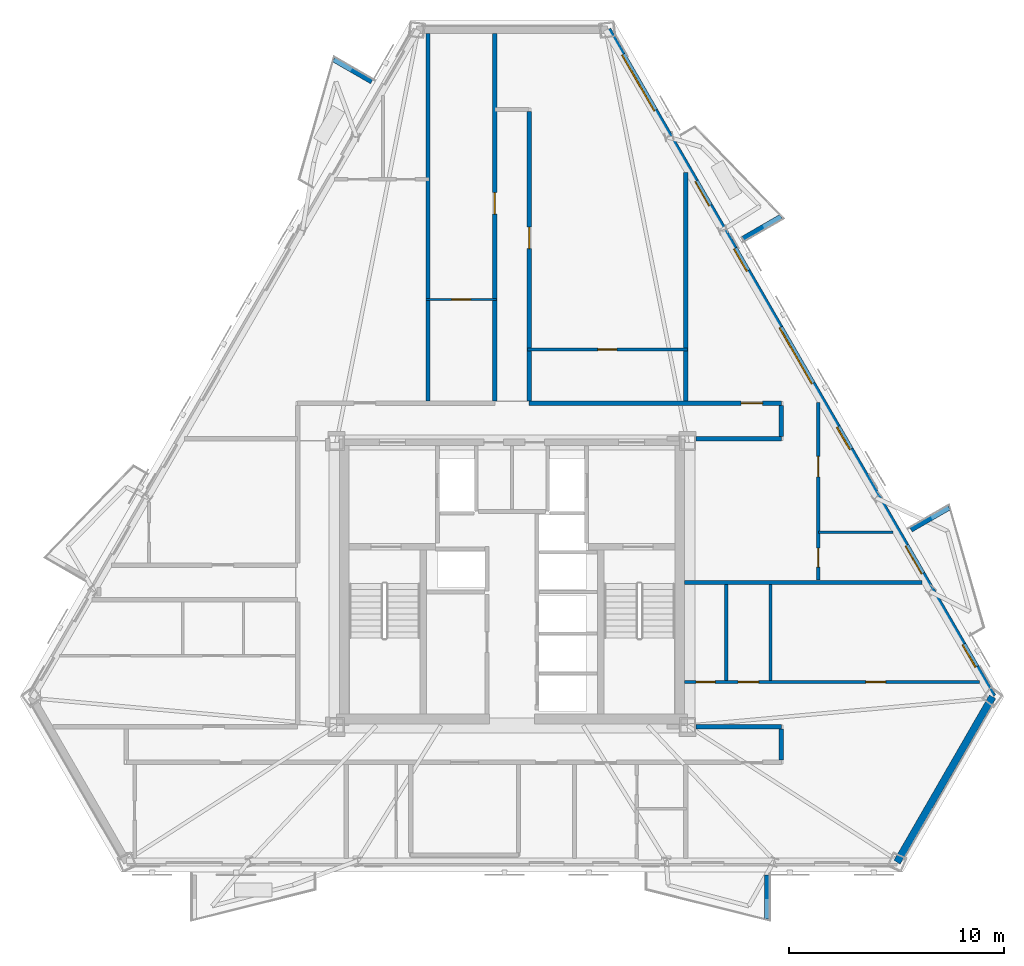
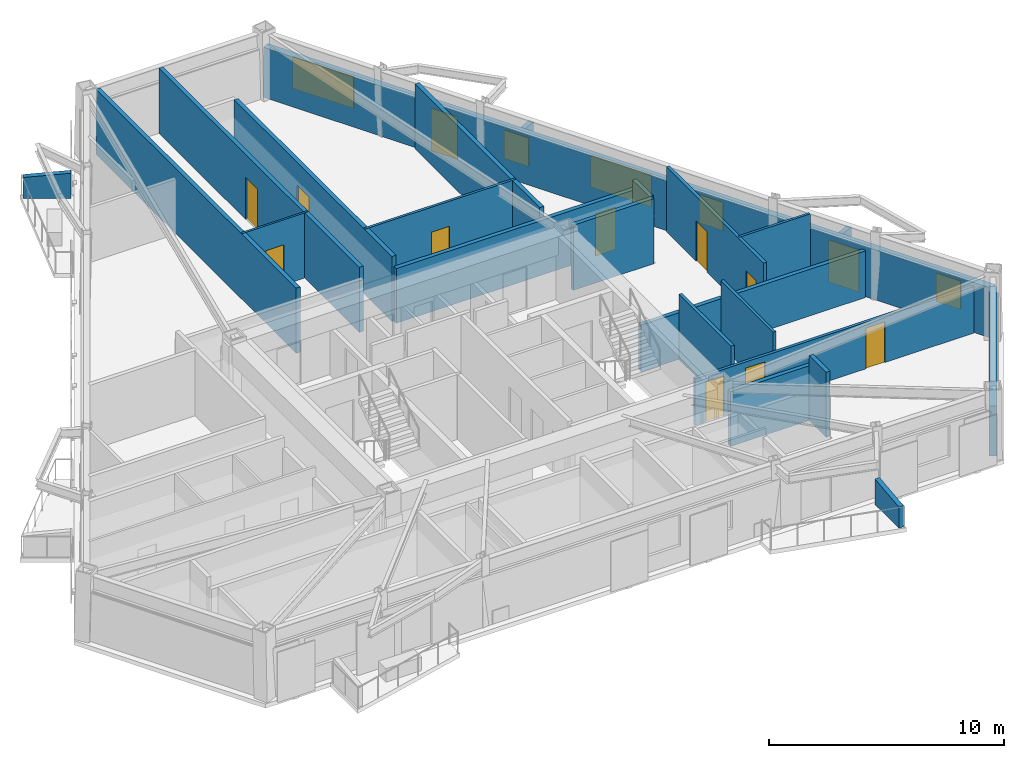
# One storey, part 5 of 9: 23 walls, 12 doors, 5 windows, 17 openings.
"""IFC4 building model written with IfcOpenShell, lengths in metres."""

from ifc_helpers import new_model, si_unit, direction, frame, frame_2d, origin, place, context, subcontext, project, spatial, polyline, rectangle, outline, extrude, material, layer, layer_set, type_object, element, fill, save


model = new_model("IFC4")

# Units and contexts
model_context = context("Model", 3, precision=1e-05, world=origin(), true_north=direction((0.0, 1.0)))
body_context = subcontext(model_context, "Body", "Model", "MODEL_VIEW")
ifc_project = project(units=[si_unit("LENGTHUNIT", "METRE"), si_unit("AREAUNIT", "SQUARE_METRE"), si_unit("VOLUMEUNIT", "CUBIC_METRE"), si_unit("PLANEANGLEUNIT", "RADIAN"), si_unit("MASSUNIT", "GRAM", prefix="KILO")], contexts=[model_context])

# Site, building, storey
site_placement = place(None, origin())
site = spatial("IfcSite", under=ifc_project, at=site_placement, CompositionType="ELEMENT")
building_placement = place(site_placement, origin())
building = spatial("IfcBuilding", under=site, at=building_placement, Name="Oramaril Tower", CompositionType="ELEMENT")
storey_placement = place(building_placement, frame((0.0, 0.0, 163.800048828125)))
storey = spatial("IfcBuildingStorey", under=building, at=storey_placement, Name="L43", CompositionType="ELEMENT", Elevation=163.800048828125)

# Wall
ifc_material_1 = material(Name="Warm Cream Limestone", Category="masonry")
ifc_layer_1 = layer(ifc_material_1, 0.340087890625)
ifc_layer_set_1 = layer_set([ifc_layer_1], Name="WT-EXT34")
wall_type_1 = type_object("IfcWallType", Name="WT-EXT34", PredefinedType="SOLIDWALL", material=ifc_layer_set_1)
wall_1_placement = place(storey_placement, frame((55.368896484375, 4.662109375, 0.0), z_axis=(0.0, 0.0, 1.0), x_axis=(0.500013908369, 0.866017373635, 0.0)))
element("IfcWall", 1, at=wall_1_placement, inside=storey, type_object=wall_type_1, Name="L43 Tower Limestone Facade Wall 3M", PredefinedType="SOLIDWALL", context=body_context, shape_type="SweptSolid", body=[
    extrude(rectangle(XDim=8.870361328125, YDim=0.340087890625, at=frame_2d((4.43505859375, 0.0))), origin(), (0.0, 0.0, 1.0), 2.599853515625),
])

# Wall, openings, doors, windows
wall_2_placement = place(storey_placement, frame((59.80419921875, 12.343994140625, 0.0), z_axis=(0.0, 0.0, 1.0), x_axis=(-0.499998611639, 0.866026205354, 0.0)))
wall_2 = element("IfcWall", 2, at=wall_2_placement, inside=storey, type_object=wall_type_1, Name="L43 Tower Limestone Facade Wall 4M", PredefinedType="SOLIDWALL", context=body_context, shape_type="SweptSolid", body=[
    extrude(rectangle(XDim=35.73779296875, YDim=0.340087890625, at=frame_2d((17.868896484375, 0.0))), origin(), (0.0, 0.0, 1.0), 2.599853515625),
])
opening_1_placement = place(wall_2_placement, frame((6.579345703125, 0.0, 0.0)))
opening_1 = element("IfcOpeningElement", 3, at=opening_1_placement, cuts=wall_2, Name="Opening D-L43-BAL-NE1", PredefinedType="OPENING", context=body_context, shape_type="SweptSolid", body=[
    extrude(rectangle(XDim=1.5, YDim=2.199951171875, at=frame_2d((0.75, 1.10009765625))), frame((0.0, 0.169921875, 0.0), z_axis=(0.0, -1.0, 0.0), x_axis=(1.0, 0.0, 0.0)), (0.0, 0.0, 1.0), 0.340087890625),
])
opening_2_placement = place(wall_2_placement, frame((26.303466796875, 0.0, 0.0)))
opening_2 = element("IfcOpeningElement", 4, at=opening_2_placement, cuts=wall_2, Name="Opening D-L43-BAL-NE2", PredefinedType="OPENING", context=body_context, shape_type="SweptSolid", body=[
    extrude(rectangle(XDim=1.300048828125, YDim=2.199951171875, at=frame_2d((0.64990234375, 1.10009765625))), frame((0.0, 0.169921875, 0.0), z_axis=(0.0, -1.0, 0.0), x_axis=(1.0, 0.0, 0.0)), (0.0, 0.0, 1.0), 0.340087890625),
])
opening_3_placement = place(wall_2_placement, frame((1.579833984375, 0.0, 0.85009765625)))
opening_3 = element("IfcOpeningElement", 5, at=opening_3_placement, cuts=wall_2, Name="Opening WN-09", PredefinedType="OPENING", context=body_context, shape_type="SweptSolid", body=[
    extrude(rectangle(XDim=1.199951171875, YDim=1.47998046875, at=frame_2d((0.60009765625, 0.739990234375))), frame((0.0, 0.169921875, 0.0), z_axis=(0.0, -1.0, 0.0), x_axis=(1.0, 0.0, 0.0)), (0.0, 0.0, 1.0), 0.340087890625),
])
opening_4_placement = place(wall_2_placement, frame((16.769775390625, 0.0, 0.85009765625)))
opening_4 = element("IfcOpeningElement", 6, at=opening_4_placement, cuts=wall_2, Name="Opening WN-10", PredefinedType="OPENING", context=body_context, shape_type="SweptSolid", body=[
    extrude(rectangle(XDim=3.0, YDim=1.639892578125, at=frame_2d((1.5, 0.81982421875))), frame((0.0, 0.169921875, 0.0), z_axis=(0.0, -1.0, 0.0), x_axis=(1.0, 0.0, 0.0)), (0.0, 0.0, 1.0), 0.340087890625),
])
opening_5_placement = place(wall_2_placement, frame((22.800048828125, 0.0, 0.85009765625)))
opening_5 = element("IfcOpeningElement", 7, at=opening_5_placement, cuts=wall_2, Name="Opening WN-09", PredefinedType="OPENING", context=body_context, shape_type="SweptSolid", body=[
    extrude(rectangle(XDim=1.199951171875, YDim=1.47998046875, at=frame_2d((0.60009765625, 0.739990234375))), frame((0.0, 0.169921875, 0.0), z_axis=(0.0, -1.0, 0.0), x_axis=(1.0, 0.0, 0.0)), (0.0, 0.0, 1.0), 0.340087890625),
])
opening_6_placement = place(wall_2_placement, frame((13.2421875, 0.0, 0.85009765625)))
opening_6 = element("IfcOpeningElement", 8, at=opening_6_placement, cuts=wall_2, Name="Opening WN-09", PredefinedType="OPENING", context=body_context, shape_type="SweptSolid", body=[
    extrude(rectangle(XDim=1.199951171875, YDim=1.47998046875, at=frame_2d((0.60009765625, 0.739990234375))), frame((0.0, 0.169921875, 0.0), z_axis=(0.0, -1.0, 0.0), x_axis=(1.0, 0.0, 0.0)), (0.0, 0.0, 1.0), 0.340087890625),
])
opening_7_placement = place(wall_2_placement, frame((31.39453125, 0.0, 0.85009765625)))
opening_7 = element("IfcOpeningElement", 9, at=opening_7_placement, cuts=wall_2, Name="Opening WN-10", PredefinedType="OPENING", context=body_context, shape_type="SweptSolid", body=[
    extrude(rectangle(XDim=3.0, YDim=1.639892578125, at=frame_2d((1.5, 0.81982421875))), frame((0.0, 0.169921875, 0.0), z_axis=(0.0, -1.0, 0.0), x_axis=(1.0, 0.0, 0.0)), (0.0, 0.0, 1.0), 0.340087890625),
])
ifc_material_2 = material(Name="Anodised Aluminium 6063-T6", Category="aluminium")
door_type_1 = type_object("IfcDoorType", Name="DT-BAL", OperationType="NOTDEFINED", PredefinedType="DOOR", material=ifc_material_2)
door_1_placement = place(opening_1_placement, origin())
door_1 = element("IfcDoor", 10, at=door_1_placement, inside=storey, type_object=door_type_1, Name="L43 Balcony Glazed Door L43-BAL-NE1", OperationType="SINGLE_SWING_RIGHT", OverallHeight=2.199951171875, OverallWidth=1.5, PredefinedType="DOOR", context=body_context, shape_type="SweptSolid", body=[
    extrude(rectangle(XDim=1.5, YDim=2.199951171875, at=frame_2d((0.75, 1.10009765625))), frame((0.0, 0.02490234375, 0.0), z_axis=(0.0, -1.0, 0.0), x_axis=(1.0, 0.0, 0.0)), (0.0, 0.0, 1.0), 0.050048828125),
])
fill(opening_1, door_1)
ifc_material_3 = material(Name="Anodised Aluminium 6063-T6", Category="aluminium")
door_type_2 = type_object("IfcDoorType", Name="DT-E2", OperationType="NOTDEFINED", PredefinedType="DOOR", material=ifc_material_3)
door_2_placement = place(opening_2_placement, origin())
door_2 = element("IfcDoor", 11, at=door_2_placement, inside=storey, type_object=door_type_2, Name="L43 Balcony Glazed Door L43-BAL-NE2", OperationType="SINGLE_SWING_LEFT", OverallHeight=2.199951171875, OverallWidth=1.300048828125, PredefinedType="DOOR", context=body_context, shape_type="SweptSolid", body=[
    extrude(rectangle(XDim=1.300048828125, YDim=2.199951171875, at=frame_2d((0.64990234375, 1.10009765625))), frame((0.0, 0.02490234375, 0.0), z_axis=(0.0, -1.0, 0.0), x_axis=(1.0, 0.0, 0.0)), (0.0, 0.0, 1.0), 0.050048828125),
])
fill(opening_2, door_2)
ifc_material_4 = material(Name="Coastal Low-E Insulated Glass", Category="glass")
window_type_1 = type_object("IfcWindowType", Name="WNT-09", PartitioningType="SINGLE_PANEL", PredefinedType="WINDOW", material=ifc_material_4)
window_1_placement = place(opening_3_placement, origin())
window_1 = element("IfcWindow", 12, at=window_1_placement, inside=storey, type_object=window_type_1, Name="L43 Chicago Bay Window WN-09", OverallHeight=1.47998046875, OverallWidth=1.199951171875, PartitioningType="SINGLE_PANEL", PredefinedType="WINDOW", context=body_context, shape_type="SweptSolid", body=[
    extrude(rectangle(XDim=1.199951171875, YDim=1.47998046875, at=frame_2d((0.60009765625, 0.739990234375))), frame((0.0, 0.030029296875, 0.0), z_axis=(0.0, -1.0, 0.0), x_axis=(1.0, 0.0, 0.0)), (0.0, 0.0, 1.0), 0.06005859375),
])
fill(opening_3, window_1)
window_2_placement = place(opening_5_placement, origin())
window_2 = element("IfcWindow", 13, at=window_2_placement, inside=storey, type_object=window_type_1, Name="L43 Chicago Bay Window WN-09", OverallHeight=1.47998046875, OverallWidth=1.199951171875, PartitioningType="SINGLE_PANEL", PredefinedType="WINDOW", context=body_context, shape_type="SweptSolid", body=[
    extrude(rectangle(XDim=1.199951171875, YDim=1.47998046875, at=frame_2d((0.60009765625, 0.739990234375))), frame((0.0, 0.030029296875, 0.0), z_axis=(0.0, -1.0, 0.0), x_axis=(1.0, 0.0, 0.0)), (0.0, 0.0, 1.0), 0.06005859375),
])
fill(opening_5, window_2)
window_3_placement = place(opening_6_placement, origin())
window_3 = element("IfcWindow", 14, at=window_3_placement, inside=storey, type_object=window_type_1, Name="L43 Chicago Bay Window WN-09", OverallHeight=1.47998046875, OverallWidth=1.199951171875, PartitioningType="SINGLE_PANEL", PredefinedType="WINDOW", context=body_context, shape_type="SweptSolid", body=[
    extrude(rectangle(XDim=1.199951171875, YDim=1.47998046875, at=frame_2d((0.60009765625, 0.739990234375))), frame((0.0, 0.030029296875, 0.0), z_axis=(0.0, -1.0, 0.0), x_axis=(1.0, 0.0, 0.0)), (0.0, 0.0, 1.0), 0.06005859375),
])
fill(opening_6, window_3)
ifc_material_5 = material(Name="Coastal Low-E Insulated Glass", Category="glass")
window_type_2 = type_object("IfcWindowType", Name="WNT-10", PartitioningType="SINGLE_PANEL", PredefinedType="WINDOW", material=ifc_material_5)
window_4_placement = place(opening_4_placement, origin())
window_4 = element("IfcWindow", 15, at=window_4_placement, inside=storey, type_object=window_type_2, Name="L43 Chicago Bay Window WN-10", OverallHeight=1.639892578125, OverallWidth=3.0, PartitioningType="SINGLE_PANEL", PredefinedType="WINDOW", context=body_context, shape_type="SweptSolid", body=[
    extrude(rectangle(XDim=3.0, YDim=1.639892578125, at=frame_2d((1.5, 0.81982421875))), frame((0.0, 0.030029296875, 0.0), z_axis=(0.0, -1.0, 0.0), x_axis=(1.0, 0.0, 0.0)), (0.0, 0.0, 1.0), 0.06005859375),
])
fill(opening_4, window_4)
window_5_placement = place(opening_7_placement, origin())
window_5 = element("IfcWindow", 16, at=window_5_placement, inside=storey, type_object=window_type_2, Name="L43 Chicago Bay Window WN-10", OverallHeight=1.639892578125, OverallWidth=3.0, PartitioningType="SINGLE_PANEL", PredefinedType="WINDOW", context=body_context, shape_type="SweptSolid", body=[
    extrude(rectangle(XDim=3.0, YDim=1.639892578125, at=frame_2d((1.5, 0.81982421875))), frame((0.0, 0.030029296875, 0.0), z_axis=(0.0, -1.0, 0.0), x_axis=(1.0, 0.0, 0.0)), (0.0, 0.0, 1.0), 0.06005859375),
])
fill(opening_7, window_5)

# Walls
ifc_material_6 = material(Name="Concrete C40/50", Category="concrete")
ifc_layer_2 = layer(ifc_material_6, 0.22998046875)
ifc_layer_set_2 = layer_set([ifc_layer_2], Name="WT-PRP23")
wall_type_2 = type_object("IfcWallType", Name="WT-PRP23", PredefinedType="PARAPET", material=ifc_layer_set_2)
for number, where, z_axis, x_axis, name in (
    (17, (49.32958984375, 4.06396484375, 0.0), (0.0, 0.0, 1.0), (0.0, -1.0, 0.0), "L43 Trapezoidal Balcony Frame Cheek L43-BAL-S2-R"),
    (18, (56.02001953125, 20.094482421875, 0.0), (0.0, 0.0, 1.0), (0.866012356593, 0.500022597718, 0.0), "L43 Trapezoidal Balcony Frame Cheek L43-BAL-NE1-R"),
    (19, (48.2177734375, 33.608154296875, 0.0), (0.0, 0.0, 1.0), (0.866012356593, 0.500022597718, 0.0), "L43 Trapezoidal Balcony Frame Cheek L43-BAL-NE2-L"),
    (20, (30.98974609375, 40.895751953125, 0.0), (0.0, 0.0, 1.0), (-0.866042246008, 0.499970827278, 0.0), "L43 Trapezoidal Balcony Frame Cheek L43-BAL-NW1-L"),
):
    element("IfcWall", number, at=place(storey_placement, frame(where, z_axis=z_axis, x_axis=x_axis)), inside=storey, type_object=wall_type_2, Name=name, PredefinedType="PARAPET", context=body_context, shape_type="SweptSolid", body=[
        extrude(outline(polyline([(0.0, 0.0), (2.0419921875, 0.0), (2.0419921875, 1.099853515625), (0.0, 1.320068359375), (0.0, 0.0)])), frame((0.0, 0.114990234375, 0.0), z_axis=(0.0, -1.0, 0.0), x_axis=(1.0, 0.0, 0.0)), (0.0, 0.0, 1.0), 0.22998046875),
    ])

# Wall, opening, door
ifc_material_7 = material(Name="Acoustic Gypsum Board Partition")
ifc_layer_3 = layer(ifc_material_7, 0.10009765625)
ifc_layer_set_3 = layer_set([ifc_layer_3], Name="WT-PT10")
wall_type_3 = type_object("IfcWallType", Name="WT-PT10", PredefinedType="PARTITIONING", material=ifc_layer_set_3)
wall_3_placement = place(storey_placement, frame((33.51806640625, 30.780029296875, 0.0), z_axis=(0.0, 0.0, 1.0), x_axis=(1.0, 0.0, 0.0)))
wall_3 = element("IfcWall", 21, at=wall_3_placement, inside=storey, type_object=wall_type_3, Name="L43 Interior Partition PT-10", PredefinedType="PARTITIONING", context=body_context, shape_type="SweptSolid", body=[
    extrude(rectangle(XDim=3.263916015625, YDim=0.10009765625, at=frame_2d((1.6318359375, 0.0))), origin(), (0.0, 0.0, 1.0), 3.3798828125),
])
opening_8_placement = place(wall_3_placement, frame((1.19189453125, 0.0, 0.0)))
opening_8 = element("IfcOpeningElement", 22, at=opening_8_placement, cuts=wall_3, Name="Opening D-L43-17", PredefinedType="OPENING", context=body_context, shape_type="SweptSolid", body=[
    extrude(rectangle(XDim=0.8798828125, YDim=2.080078125, at=frame_2d((0.43994140625, 1.0400390625))), frame((0.0, 0.050048828125, 0.0), z_axis=(0.0, -1.0, 0.0), x_axis=(1.0, 0.0, 0.0)), (0.0, 0.0, 1.0), 0.10009765625),
])
ifc_material_8 = material(Name="FSC Brazilian Freijo Hardwood", Category="wood")
door_type_3 = type_object("IfcDoorType", Name="DT-BATH", OperationType="NOTDEFINED", PredefinedType="DOOR", material=ifc_material_8)
door_3_placement = place(opening_8_placement, origin())
door_3 = element("IfcDoor", 23, at=door_3_placement, inside=storey, type_object=door_type_3, Name="L43 Flat L43-U9 Bathroom Door D-L43-17", OperationType="SINGLE_SWING_LEFT", OverallHeight=2.080078125, OverallWidth=0.8798828125, PredefinedType="DOOR", context=body_context, shape_type="SweptSolid", body=[
    extrude(rectangle(XDim=0.8798828125, YDim=2.080078125, at=frame_2d((0.43994140625, 1.0400390625))), frame((0.0, 0.02490234375, 0.0), z_axis=(0.0, -1.0, 0.0), x_axis=(1.0, 0.0, 0.0)), (0.0, 0.0, 1.0), 0.050048828125),
])
fill(opening_8, door_3)

# Wall
ifc_material_9 = material(Name="Acoustic Gypsum Board Partition")
ifc_layer_4 = layer(ifc_material_9, 0.1201171875)
ifc_layer_set_4 = layer_set([ifc_layer_4], Name="WT-PT12")
wall_type_4 = type_object("IfcWallType", Name="WT-PT12", PredefinedType="PARTITIONING", material=ifc_layer_set_4)
wall_4_placement = place(storey_placement, frame((51.72412109375, 19.97998046875, 0.0), z_axis=(0.0, 0.0, 1.0), x_axis=(1.0, 0.0, 0.0)))
element("IfcWall", 24, at=wall_4_placement, inside=storey, type_object=wall_type_4, Name="L43 Interior Partition PT-12", PredefinedType="PARTITIONING", context=body_context, shape_type="SweptSolid", body=[
    extrude(rectangle(XDim=3.470458984375, YDim=0.1201171875, at=frame_2d((1.7353515625, 0.0))), origin(), (0.0, 0.0, 1.0), 3.3798828125),
])

# Wall, opening, door
wall_5_placement = place(storey_placement, frame((38.218017578125, 28.4599609375, 0.0), z_axis=(0.0, 0.0, 1.0), x_axis=(1.0, 0.0, 0.0)))
wall_5 = element("IfcWall", 25, at=wall_5_placement, inside=storey, type_object=wall_type_4, Name="L43 Interior Partition PT-12", PredefinedType="PARTITIONING", context=body_context, shape_type="SweptSolid", body=[
    extrude(rectangle(XDim=7.424072265625, YDim=0.1201171875, at=frame_2d((3.7119140625, 0.0))), origin(), (0.0, 0.0, 1.0), 3.3798828125),
])
opening_9_placement = place(wall_5_placement, frame((3.27197265625, 0.0, 0.0)))
opening_9 = element("IfcOpeningElement", 26, at=opening_9_placement, cuts=wall_5, Name="Opening D-L43-16", PredefinedType="OPENING", context=body_context, shape_type="SweptSolid", body=[
    extrude(rectangle(XDim=0.8798828125, YDim=2.080078125, at=frame_2d((0.43994140625, 1.0400390625))), frame((0.0, 0.06005859375, 0.0), z_axis=(0.0, -1.0, 0.0), x_axis=(1.0, 0.0, 0.0)), (0.0, 0.0, 1.0), 0.1201171875),
])
door_4_placement = place(opening_9_placement, origin())
door_4 = element("IfcDoor", 27, at=door_4_placement, inside=storey, type_object=door_type_3, Name="L43 Flat L43-U10 Bathroom Door D-L43-16", OperationType="SINGLE_SWING_RIGHT", OverallHeight=2.080078125, OverallWidth=0.8798828125, PredefinedType="DOOR", context=body_context, shape_type="SweptSolid", body=[
    extrude(rectangle(XDim=0.8798828125, YDim=2.080078125, at=frame_2d((0.43994140625, 1.0400390625))), frame((0.0, 0.02490234375, 0.0), z_axis=(0.0, -1.0, 0.0), x_axis=(1.0, 0.0, 0.0)), (0.0, 0.0, 1.0), 0.050048828125),
])
fill(opening_9, door_4)

# Wall, openings, doors
ifc_material_10 = material(Name="Acoustic Gypsum Board Partition")
ifc_layer_5 = layer(ifc_material_10, 0.139892578125)
ifc_layer_set_5 = layer_set([ifc_layer_5], Name="WT-PT14")
wall_type_5 = type_object("IfcWallType", Name="WT-PT14", PredefinedType="PARTITIONING", material=ifc_layer_set_5)
wall_6_placement = place(storey_placement, frame((45.513916015625, 13.030029296875, 0.0), z_axis=(0.0, 0.0, 1.0), x_axis=(1.0, 0.0, 0.0)))
wall_6 = element("IfcWall", 28, at=wall_6_placement, inside=storey, type_object=wall_type_5, Name="L43 Interior Partition PT-14", PredefinedType="PARTITIONING", context=body_context, shape_type="SweptSolid", body=[
    extrude(rectangle(XDim=13.693359375, YDim=0.139892578125, at=frame_2d((6.8466796875, 0.0))), origin(), (0.0, 0.0, 1.0), 2.419921875),
])
opening_10_placement = place(wall_6_placement, frame((0.535888671875, 0.0, 0.0)))
opening_10 = element("IfcOpeningElement", 29, at=opening_10_placement, cuts=wall_6, Name="Opening D-L43-07", PredefinedType="OPENING", context=body_context, shape_type="SweptSolid", body=[
    extrude(rectangle(XDim=0.8798828125, YDim=2.080078125, at=frame_2d((0.43994140625, 1.0400390625))), frame((0.0, 0.06982421875, 0.0), z_axis=(0.0, -1.0, 0.0), x_axis=(1.0, 0.0, 0.0)), (0.0, 0.0, 1.0), 0.139892578125),
])
opening_11_placement = place(wall_6_placement, frame((2.486083984375, 0.0, 0.0)))
opening_11 = element("IfcOpeningElement", 30, at=opening_11_placement, cuts=wall_6, Name="Opening D-L43-08", PredefinedType="OPENING", context=body_context, shape_type="SweptSolid", body=[
    extrude(rectangle(XDim=0.949951171875, YDim=2.10009765625, at=frame_2d((0.47509765625, 1.050048828125))), frame((0.0, 0.06982421875, 0.0), z_axis=(0.0, -1.0, 0.0), x_axis=(1.0, 0.0, 0.0)), (0.0, 0.0, 1.0), 0.139892578125),
])
opening_12_placement = place(wall_6_placement, frame((8.408935546875, 0.0, 0.0)))
opening_12 = element("IfcOpeningElement", 31, at=opening_12_placement, cuts=wall_6, Name="Opening D-L43-09", PredefinedType="OPENING", context=body_context, shape_type="SweptSolid", body=[
    extrude(rectangle(XDim=0.919921875, YDim=2.1201171875, at=frame_2d((0.4599609375, 1.06005859375))), frame((0.0, 0.06982421875, 0.0), z_axis=(0.0, -1.0, 0.0), x_axis=(1.0, 0.0, 0.0)), (0.0, 0.0, 1.0), 0.139892578125),
])
door_5_placement = place(opening_10_placement, origin())
door_5 = element("IfcDoor", 32, at=door_5_placement, inside=storey, type_object=door_type_3, Name="L43 Flat L43-U6 Bathroom Door D-L43-07", OperationType="SINGLE_SWING_LEFT", OverallHeight=2.080078125, OverallWidth=0.8798828125, PredefinedType="DOOR", context=body_context, shape_type="SweptSolid", body=[
    extrude(rectangle(XDim=0.8798828125, YDim=2.080078125, at=frame_2d((0.43994140625, 1.0400390625))), frame((0.0, 0.02490234375, 0.0), z_axis=(0.0, -1.0, 0.0), x_axis=(1.0, 0.0, 0.0)), (0.0, 0.0, 1.0), 0.050048828125),
])
fill(opening_10, door_5)
ifc_material_11 = material(Name="FSC Brazilian Freijo Hardwood", Category="wood")
door_type_4 = type_object("IfcDoorType", Name="DT-BED", OperationType="NOTDEFINED", PredefinedType="DOOR", material=ifc_material_11)
door_6_placement = place(opening_12_placement, origin())
door_6 = element("IfcDoor", 33, at=door_6_placement, inside=storey, type_object=door_type_4, Name="L43 Flat L43-U6 Master Bedroom Door D-L43-09", OperationType="SINGLE_SWING_LEFT", OverallHeight=2.1201171875, OverallWidth=0.919921875, PredefinedType="DOOR", context=body_context, shape_type="SweptSolid", body=[
    extrude(rectangle(XDim=0.919921875, YDim=2.1201171875, at=frame_2d((0.4599609375, 1.06005859375))), frame((0.0, 0.02490234375, 0.0), z_axis=(0.0, -1.0, 0.0), x_axis=(1.0, 0.0, 0.0)), (0.0, 0.0, 1.0), 0.050048828125),
])
fill(opening_12, door_6)
ifc_material_12 = material(Name="FSC Brazilian Freijo Hardwood", Category="wood")
door_type_5 = type_object("IfcDoorType", Name="DT-STDY", OperationType="NOTDEFINED", PredefinedType="DOOR", material=ifc_material_12)
door_7_placement = place(opening_11_placement, origin())
door_7 = element("IfcDoor", 34, at=door_7_placement, inside=storey, type_object=door_type_5, Name="L43 Flat L43-U6 Kitchen Door D-L43-08", OperationType="SINGLE_SWING_RIGHT", OverallHeight=2.10009765625, OverallWidth=0.949951171875, PredefinedType="DOOR", context=body_context, shape_type="SweptSolid", body=[
    extrude(rectangle(XDim=0.949951171875, YDim=2.10009765625, at=frame_2d((0.47509765625, 1.050048828125))), frame((0.0, 0.02490234375, 0.0), z_axis=(0.0, -1.0, 0.0), x_axis=(1.0, 0.0, 0.0)), (0.0, 0.0, 1.0), 0.050048828125),
])
fill(opening_11, door_7)

# Walls
wall_7_placement = place(storey_placement, frame((49.5, 13.10400390625, 0.0), z_axis=(0.0, 0.0, 1.0), x_axis=(0.0, 1.0, 0.0)))
element("IfcWall", 35, at=wall_7_placement, inside=storey, type_object=wall_type_5, Name="L43 Interior Partition PT-14", PredefinedType="PARTITIONING", context=body_context, shape_type="SweptSolid", body=[
    extrude(rectangle(XDim=4.44189453125, YDim=0.139892578125, at=frame_2d((2.220947265625, 0.0))), origin(), (0.0, 0.0, 1.0), 3.3798828125),
])
ifc_material_13 = material(Name="Acoustic Gypsum Board Partition")
ifc_layer_6 = layer(ifc_material_13, 0.159912109375)
ifc_layer_set_6 = layer_set([ifc_layer_6], Name="WT-PT16")
wall_type_6 = type_object("IfcWallType", Name="WT-PT16", PredefinedType="PARTITIONING", material=ifc_layer_set_6)
wall_8_placement = place(storey_placement, frame((47.449951171875, 13.10400390625, 0.0), z_axis=(0.0, 0.0, 1.0), x_axis=(0.0, 1.0, 0.0)))
element("IfcWall", 36, at=wall_8_placement, inside=storey, type_object=wall_type_6, Name="L43 Interior Partition PT-16", PredefinedType="PARTITIONING", context=body_context, shape_type="SweptSolid", body=[
    extrude(rectangle(XDim=4.44189453125, YDim=0.159912109375, at=frame_2d((2.220947265625, 0.0))), origin(), (0.0, 0.0, 1.0), 3.3798828125),
])

# Wall, openings, doors
wall_9_placement = place(storey_placement, frame((51.719970703125, 17.75390625, 0.0), z_axis=(0.0, 0.0, 1.0), x_axis=(0.0, 1.0, 0.0)))
wall_9 = element("IfcWall", 37, at=wall_9_placement, inside=storey, type_object=wall_type_6, Name="L43 Interior Partition PT-16", PredefinedType="PARTITIONING", context=body_context, shape_type="SweptSolid", body=[
    extrude(rectangle(XDim=8.244384765625, YDim=0.159912109375, at=frame_2d((4.1220703125, 0.0))), origin(), (0.0, 0.0, 1.0), 3.3798828125),
])
opening_13_placement = place(wall_9_placement, frame((0.607177734375, 0.0, 0.0)))
opening_13 = element("IfcOpeningElement", 38, at=opening_13_placement, cuts=wall_9, Name="Opening D-L43-27", PredefinedType="OPENING", context=body_context, shape_type="SweptSolid", body=[
    extrude(rectangle(XDim=0.8798828125, YDim=2.080078125, at=frame_2d((0.43994140625, 1.0400390625))), frame((0.0, 0.080078125, 0.0), z_axis=(0.0, -1.0, 0.0), x_axis=(1.0, 0.0, 0.0)), (0.0, 0.0, 1.0), 0.159912109375),
])
opening_14_placement = place(wall_9_placement, frame((4.796630859375, 0.0, 0.0)))
opening_14 = element("IfcOpeningElement", 39, at=opening_14_placement, cuts=wall_9, Name="Opening D-L43-28", PredefinedType="OPENING", context=body_context, shape_type="SweptSolid", body=[
    extrude(rectangle(XDim=0.949951171875, YDim=2.10009765625, at=frame_2d((0.47509765625, 1.050048828125))), frame((0.0, 0.080078125, 0.0), z_axis=(0.0, -1.0, 0.0), x_axis=(1.0, 0.0, 0.0)), (0.0, 0.0, 1.0), 0.159912109375),
])
door_8_placement = place(opening_13_placement, origin())
door_8 = element("IfcDoor", 40, at=door_8_placement, inside=storey, type_object=door_type_3, Name="L43 Flat L43-U7 Bathroom Door D-L43-27", OperationType="SINGLE_SWING_LEFT", OverallHeight=2.080078125, OverallWidth=0.8798828125, PredefinedType="DOOR", context=body_context, shape_type="SweptSolid", body=[
    extrude(rectangle(XDim=0.8798828125, YDim=2.080078125, at=frame_2d((0.43994140625, 1.0400390625))), frame((0.0, 0.02490234375, 0.0), z_axis=(0.0, -1.0, 0.0), x_axis=(1.0, 0.0, 0.0)), (0.0, 0.0, 1.0), 0.050048828125),
])
fill(opening_13, door_8)
door_9_placement = place(opening_14_placement, origin())
door_9 = element("IfcDoor", 41, at=door_9_placement, inside=storey, type_object=door_type_5, Name="L43 Flat L43-U7 Kitchen Door D-L43-28", OperationType="SINGLE_SWING_RIGHT", OverallHeight=2.10009765625, OverallWidth=0.949951171875, PredefinedType="DOOR", context=body_context, shape_type="SweptSolid", body=[
    extrude(rectangle(XDim=0.949951171875, YDim=2.10009765625, at=frame_2d((0.47509765625, 1.050048828125))), frame((0.0, 0.02490234375, 0.0), z_axis=(0.0, -1.0, 0.0), x_axis=(1.0, 0.0, 0.0)), (0.0, 0.0, 1.0), 0.050048828125),
])
fill(opening_14, door_9)

# Walls
ifc_material_14 = material(Name="Autoclaved Cellular Concrete Block", Category="concrete")
ifc_layer_7 = layer(ifc_material_14, 0.199951171875)
ifc_layer_set_7 = layer_set([ifc_layer_7], Name="WT-PT20")
wall_type_7 = type_object("IfcWallType", Name="WT-PT20", PredefinedType="PARTITIONING", material=ifc_layer_set_7)
wall_10_placement = place(storey_placement, frame((46.0400390625, 10.949951171875, 0.0), z_axis=(0.0, 0.0, 1.0), x_axis=(1.0, 0.0, 0.0)))
element("IfcWall", 42, at=wall_10_placement, inside=storey, type_object=wall_type_7, Name="L43 Interior Partition PT-20", PredefinedType="PARTITIONING", context=body_context, shape_type="SweptSolid", body=[
    extrude(rectangle(XDim=3.9599609375, YDim=0.199951171875, at=frame_2d((1.97998046875, 0.0))), origin(), (0.0, 0.0, 1.0), 2.842041015625),
])
wall_11_placement = place(storey_placement, frame((45.513916015625, 17.64990234375, 0.0), z_axis=(0.0, 0.0, 1.0), x_axis=(1.0, 0.0, 0.0)))
element("IfcWall", 43, at=wall_11_placement, inside=storey, type_object=wall_type_7, Name="L43 Interior Partition PT-20", PredefinedType="PARTITIONING", context=body_context, shape_type="SweptSolid", body=[
    extrude(rectangle(XDim=11.02587890625, YDim=0.199951171875, at=frame_2d((5.512939453125, 0.0))), origin(), (0.0, 0.0, 1.0), 2.419921875),
])
wall_12_placement = place(storey_placement, frame((46.0400390625, 24.320068359375, 0.0), z_axis=(0.0, 0.0, 1.0), x_axis=(1.0, 0.0, 0.0)))
element("IfcWall", 44, at=wall_12_placement, inside=storey, type_object=wall_type_7, Name="L43 Interior Partition PT-20", PredefinedType="PARTITIONING", context=body_context, shape_type="SweptSolid", body=[
    extrude(rectangle(XDim=3.9599609375, YDim=0.199951171875, at=frame_2d((1.97998046875, 0.0))), origin(), (0.0, 0.0, 1.0), 3.3798828125),
])

# Wall, opening, door
wall_13_placement = place(storey_placement, frame((38.300048828125, 25.969970703125, 0.0), z_axis=(0.0, 0.0, 1.0), x_axis=(1.0, 0.0, 0.0)))
wall_13 = element("IfcWall", 45, at=wall_13_placement, inside=storey, type_object=wall_type_7, Name="L43 Interior Partition PT-20", PredefinedType="PARTITIONING", context=body_context, shape_type="SweptSolid", body=[
    extrude(rectangle(XDim=11.699951171875, YDim=0.199951171875, at=frame_2d((5.85009765625, 0.0))), origin(), (0.0, 0.0, 1.0), 2.842041015625),
])
opening_15_placement = place(wall_13_placement, frame((9.832275390625, 0.0, 0.0)))
opening_15 = element("IfcOpeningElement", 46, at=opening_15_placement, cuts=wall_13, Name="Opening D-L43-15", PredefinedType="OPENING", context=body_context, shape_type="SweptSolid", body=[
    extrude(rectangle(XDim=1.0, YDim=2.179931640625, at=frame_2d((0.5, 1.08984375))), frame((0.0, 0.10009765625, 0.0), z_axis=(0.0, -1.0, 0.0), x_axis=(1.0, 0.0, 0.0)), (0.0, 0.0, 1.0), 0.199951171875),
])
ifc_material_15 = material(Name="FSC Brazilian Freijo Hardwood", Category="wood")
door_type_6 = type_object("IfcDoorType", Name="DT-APT", OperationType="NOTDEFINED", PredefinedType="DOOR", material=ifc_material_15)
door_10_placement = place(opening_15_placement, origin())
door_10 = element("IfcDoor", 47, at=door_10_placement, inside=storey, type_object=door_type_6, Name="L43 Flat L43-U7 Studio Apartment Door D-L43-15", OperationType="SINGLE_SWING_LEFT", OverallHeight=2.179931640625, OverallWidth=1.0, PredefinedType="DOOR", context=body_context, shape_type="SweptSolid", body=[
    extrude(rectangle(XDim=1.0, YDim=2.179931640625, at=frame_2d((0.5, 1.08984375))), frame((0.0, 0.02490234375, 0.0), z_axis=(0.0, -1.0, 0.0), x_axis=(1.0, 0.0, 0.0)), (0.0, 0.0, 1.0), 0.050048828125),
])
fill(opening_15, door_10)

# Wall
wall_14_placement = place(storey_placement, frame((33.60009765625, 26.073974609375, 0.0), z_axis=(0.0, 0.0, 1.0), x_axis=(0.0, 1.0, 0.0)))
element("IfcWall", 48, at=wall_14_placement, inside=storey, type_object=wall_type_7, Name="L43 Interior Partition PT-20", PredefinedType="PARTITIONING", context=body_context, shape_type="SweptSolid", body=[
    extrude(rectangle(XDim=17.046142578125, YDim=0.199951171875, at=frame_2d((8.52294921875, 0.0))), origin(), (0.0, 0.0, 1.0), 3.3798828125),
])

# Wall, opening, door
wall_15_placement = place(storey_placement, frame((36.699951171875, 26.073974609375, 0.0), z_axis=(0.0, 0.0, 1.0), x_axis=(0.0, 1.0, 0.0)))
wall_15 = element("IfcWall", 49, at=wall_15_placement, inside=storey, type_object=wall_type_7, Name="L43 Interior Partition PT-20", PredefinedType="PARTITIONING", context=body_context, shape_type="SweptSolid", body=[
    extrude(rectangle(XDim=17.046142578125, YDim=0.199951171875, at=frame_2d((8.52294921875, 0.0))), origin(), (0.0, 0.0, 1.0), 3.3798828125),
])
opening_16_placement = place(wall_15_placement, frame((8.668701171875, 0.0, 0.0)))
opening_16 = element("IfcOpeningElement", 50, at=opening_16_placement, cuts=wall_15, Name="Opening D-L43-23", PredefinedType="OPENING", context=body_context, shape_type="SweptSolid", body=[
    extrude(rectangle(XDim=1.0, YDim=2.179931640625, at=frame_2d((0.5, 1.08984375))), frame((0.0, 0.10009765625, 0.0), z_axis=(0.0, -1.0, 0.0), x_axis=(1.0, 0.0, 0.0)), (0.0, 0.0, 1.0), 0.199951171875),
])
door_11_placement = place(opening_16_placement, origin())
door_11 = element("IfcDoor", 51, at=door_11_placement, inside=storey, type_object=door_type_6, Name="L43 Flat L43-U9 Kitchen and Studio Apartment Door D-L43-23", OperationType="SINGLE_SWING_LEFT", OverallHeight=2.179931640625, OverallWidth=1.0, PredefinedType="DOOR", context=body_context, shape_type="SweptSolid", body=[
    extrude(rectangle(XDim=1.0, YDim=2.179931640625, at=frame_2d((0.5, 1.08984375))), frame((0.0, 0.02490234375, 0.0), z_axis=(0.0, -1.0, 0.0), x_axis=(1.0, 0.0, 0.0)), (0.0, 0.0, 1.0), 0.050048828125),
])
fill(opening_16, door_11)

wall_16_placement = place(storey_placement, frame((38.300048828125, 26.073974609375, 0.0), z_axis=(0.0, 0.0, 1.0), x_axis=(0.0, 1.0, 0.0)))
wall_16 = element("IfcWall", 52, at=wall_16_placement, inside=storey, type_object=wall_type_7, Name="L43 Interior Partition PT-20", PredefinedType="PARTITIONING", context=body_context, shape_type="SweptSolid", body=[
    extrude(rectangle(XDim=13.422119140625, YDim=0.199951171875, at=frame_2d((6.7109375, 0.0))), origin(), (0.0, 0.0, 1.0), 3.3798828125),
])
opening_17_placement = place(wall_16_placement, frame((7.066162109375, 0.0, 0.0)))
opening_17 = element("IfcOpeningElement", 53, at=opening_17_placement, cuts=wall_16, Name="Opening D-L43-24", PredefinedType="OPENING", context=body_context, shape_type="SweptSolid", body=[
    extrude(rectangle(XDim=1.0, YDim=2.179931640625, at=frame_2d((0.5, 1.08984375))), frame((0.0, 0.10009765625, 0.0), z_axis=(0.0, -1.0, 0.0), x_axis=(1.0, 0.0, 0.0)), (0.0, 0.0, 1.0), 0.199951171875),
])
door_12_placement = place(opening_17_placement, origin())
door_12 = element("IfcDoor", 54, at=door_12_placement, inside=storey, type_object=door_type_6, Name="L43 Flat L43-U10 Kitchen and Studio Apartment Door D-L43-24", OperationType="SINGLE_SWING_RIGHT", OverallHeight=2.179931640625, OverallWidth=1.0, PredefinedType="DOOR", context=body_context, shape_type="SweptSolid", body=[
    extrude(rectangle(XDim=1.0, YDim=2.179931640625, at=frame_2d((0.5, 1.08984375))), frame((0.0, 0.02490234375, 0.0), z_axis=(0.0, -1.0, 0.0), x_axis=(1.0, 0.0, 0.0)), (0.0, 0.0, 1.0), 0.050048828125),
])
fill(opening_17, door_12)

# Walls
wall_17_placement = place(storey_placement, frame((45.56005859375, 26.073974609375, 0.0), z_axis=(0.0, 0.0, 1.0), x_axis=(0.0, 1.0, 0.0)))
element("IfcWall", 55, at=wall_17_placement, inside=storey, type_object=wall_type_7, Name="L43 Interior Partition PT-20", PredefinedType="PARTITIONING", context=body_context, shape_type="SweptSolid", body=[
    extrude(rectangle(XDim=10.59375, YDim=0.199951171875, at=frame_2d((5.296875, 0.0))), origin(), (0.0, 0.0, 1.0), 3.3798828125),
])
for number, where, z_axis, x_axis, name in (
    (56, (50.0, 9.404052734375, 0.0), (0.0, 0.0, 1.0), (0.0, 1.0, 0.0), "L43 Interior Partition PT-20"),
    (57, (50.0, 24.424072265625, 0.0), (0.0, 0.0, 1.0), (0.0, 1.0, 0.0), "L43 Interior Partition PT-20"),
):
    element("IfcWall", number, at=place(storey_placement, frame(where, z_axis=z_axis, x_axis=x_axis)), inside=storey, type_object=wall_type_7, Name=name, PredefinedType="PARTITIONING", context=body_context, shape_type="SweptSolid", body=[
        extrude(rectangle(XDim=1.44189453125, YDim=0.199951171875, at=frame_2d((0.720947265625, 0.0))), origin(), (0.0, 0.0, 1.0), 3.3798828125),
    ])

save(model, "model.ifc")
